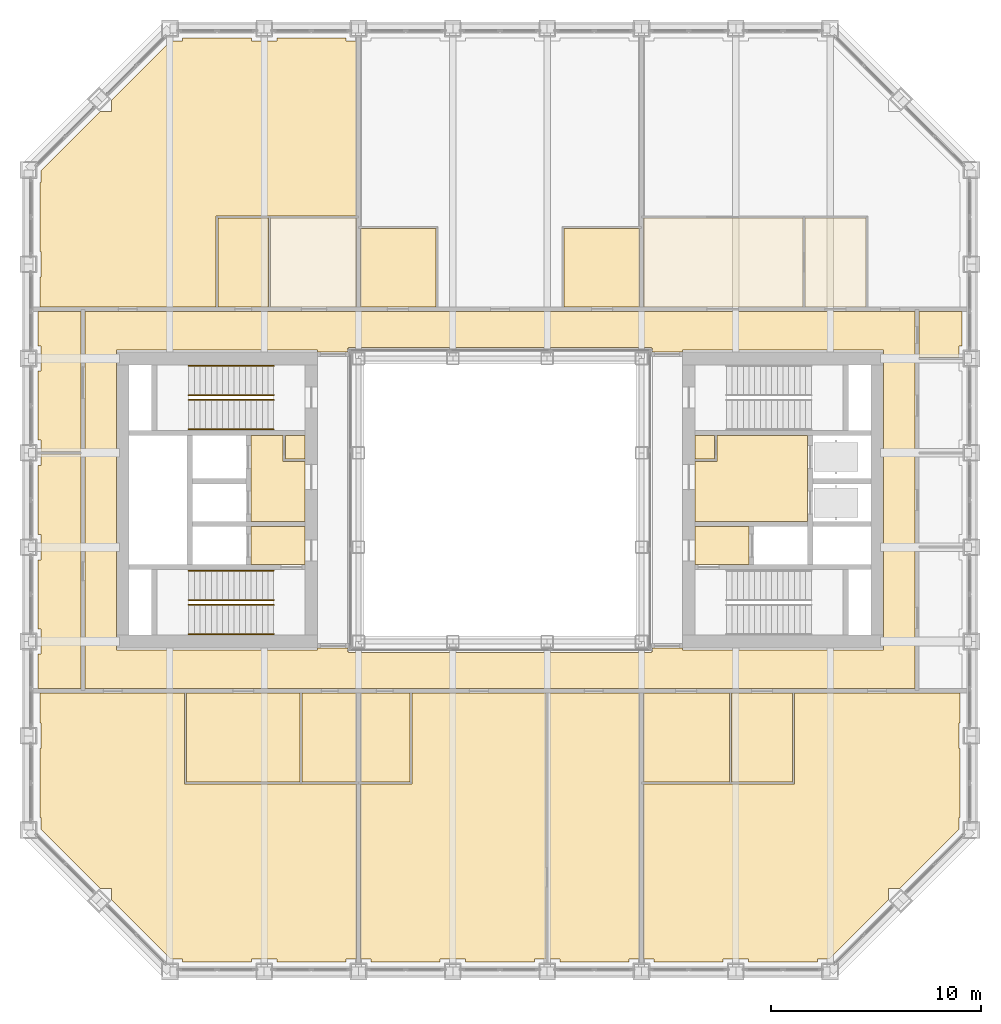
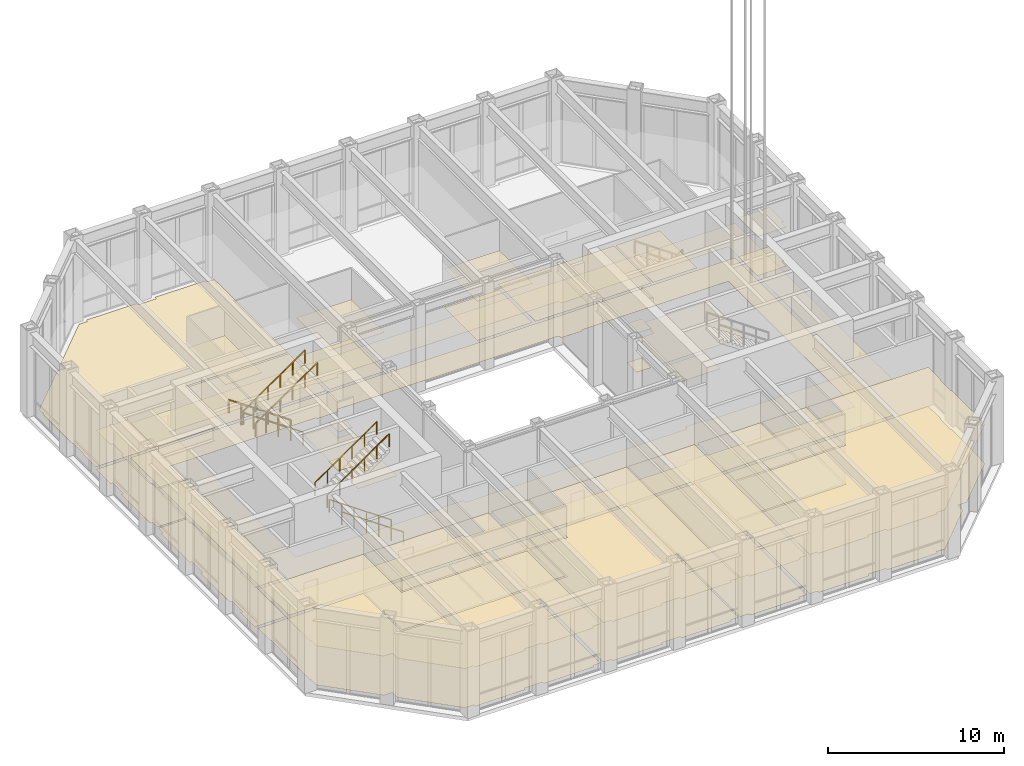
# One storey, part 20 of 22: 8 railings, 5 coverings.
"""IFC4 building model written with IfcOpenShell, lengths in metres."""

from ifc_helpers import new_model, si_unit, direction, frame, origin, origin_2d, place, context, subcontext, project, spatial, line, indexed_curve, circle, outline, extrude, material, layer, layer_set, type_object, element, save


model = new_model("IFC4")

# Units and contexts
model_context = context("Model", 3, precision=1e-05, world=origin(), true_north=direction((0.0, 1.0)))
body_context = subcontext(model_context, "Body", "Model", "MODEL_VIEW")
ifc_project = project(units=[si_unit("LENGTHUNIT", "METRE"), si_unit("AREAUNIT", "SQUARE_METRE"), si_unit("VOLUMEUNIT", "CUBIC_METRE"), si_unit("PLANEANGLEUNIT", "RADIAN"), si_unit("MASSUNIT", "GRAM", prefix="KILO")], contexts=[model_context])

# Site, building, storey
site_placement = place(None, origin())
site = spatial("IfcSite", under=ifc_project, at=site_placement, CompositionType="ELEMENT")
building_placement = place(site_placement, origin())
building = spatial("IfcBuilding", under=site, at=building_placement, Name="Msasa Ring Tower", CompositionType="ELEMENT")
storey_placement = place(building_placement, frame((0.0, 0.0, 112.39990234375)))
storey = spatial("IfcBuildingStorey", under=building, at=storey_placement, Name="L29", CompositionType="ELEMENT", Elevation=112.39990234375)

# Coverings
ifc_material_1 = material(Name="Gypsum plasterboard on a steel suspension grid", Category="steel")
ifc_layer_1 = layer(ifc_material_1, 0.014892578125)
ifc_layer_set_1 = layer_set([ifc_layer_1], Name="C1 SUSPENDED PLASTERBOARD CEILING 15")
covering_type_1 = type_object("IfcCoveringType", Name="C1 SUSPENDED PLASTERBOARD CEILING 15", PredefinedType="CEILING", material=ifc_layer_set_1)
covering_1_placement = place(storey_placement, frame((0.0, 0.0, 2.400146484375)))
element("IfcCovering", 1, at=covering_1_placement, inside=storey, type_object=covering_type_1, Name="Suspended Plasterboard Ceiling 15 circulation L29", PredefinedType="CEILING", context=body_context, shape_type="SweptSolid", body=[
    extrude(outline(indexed_curve([(-19.799560546875, -8.99951171875), (-19.799560546875, 8.99951171875), (19.799560546875, 8.99951171875), (19.799560546875, -8.99951171875)], segments=[line(1, 2, 3, 4, 1)], self_intersect=False), holes=[indexed_curve([(8.699462890625, -7.150390625), (18.300537109375, -7.150390625), (18.300537109375, 7.150390625), (8.699462890625, 7.150390625), (8.699462890625, 7.050537109375), (7.280029296875, 7.050537109375), (7.280517578125, 7.23046875), (7.22998046875, 7.23046875), (7.22998046875, 7.280029296875), (-7.22998046875, 7.280029296875), (-7.22998046875, 7.23046875), (-7.280517578125, 7.23046875), (-7.280029296875, 7.050537109375), (-8.699462890625, 7.050537109375), (-8.699462890625, 7.150390625), (-18.300537109375, 7.150390625), (-18.300537109375, -7.150390625), (-8.699462890625, -7.150390625), (-8.699462890625, -7.050537109375), (-7.280029296875, -7.050537109375), (-7.280517578125, -7.23046875), (-7.22998046875, -7.23046875), (-7.22998046875, -7.280029296875), (7.22998046875, -7.280029296875), (7.22998046875, -7.23046875), (7.280517578125, -7.23046875), (7.280029296875, -7.050537109375), (8.699462890625, -7.050537109375)], segments=[line(1, 2, 3, 4, 5, 6, 7, 8, 9, 10, 11, 12, 13, 14, 15, 16, 17, 18, 19, 20, 21, 22, 23, 24, 25, 26, 27, 28, 1)], self_intersect=False)]), origin(), (0.0, 0.0, 1.0), 0.014892578125),
    extrude(outline(indexed_curve([(-9.300537109375, -3.074462890625), (-11.87451171875, -3.074462890625), (-11.87451171875, -1.275390625), (-9.300537109375, -1.275390625)], segments=[line(1, 2, 3, 4, 1)], self_intersect=False)), origin(), (0.0, 0.0, 1.0), 0.014892578125),
    extrude(outline(indexed_curve([(-9.300537109375, 1.844482421875), (-9.300537109375, -1.0244140625), (-11.87451171875, -1.0244140625), (-11.87451171875, 3.074462890625), (-10.35546875, 3.074462890625), (-10.35546875, 1.844482421875)], segments=[line(1, 2, 3, 4, 5, 6, 1)], self_intersect=False)), origin(), (0.0, 0.0, 1.0), 0.014892578125),
    extrude(outline(indexed_curve([(11.87451171875, -3.074462890625), (9.300537109375, -3.074462890625), (9.300537109375, -1.275390625), (11.87451171875, -1.275390625)], segments=[line(1, 2, 3, 4, 1)], self_intersect=False)), origin(), (0.0, 0.0, 1.0), 0.014892578125),
    extrude(outline(indexed_curve([(10.35546875, 3.074462890625), (14.674560546875, 3.074462890625), (14.674560546875, -1.0244140625), (9.300537109375, -1.0244140625), (9.300537109375, 1.844482421875), (10.35546875, 1.844482421875)], segments=[line(1, 2, 3, 4, 5, 6, 1)], self_intersect=False)), origin(), (0.0, 0.0, 1.0), 0.014892578125),
])
covering_2_placement = place(storey_placement, frame((0.0, 0.0, 2.7001953125)))
element("IfcCovering", 2, at=covering_2_placement, inside=storey, type_object=covering_type_1, Name="Suspended Plasterboard Ceiling 15 L29", PredefinedType="CEILING", context=body_context, shape_type="SweptSolid", body=[
    extrude(outline(indexed_curve([(-10.244384765625, 1.95556640625), (-10.244384765625, 3.074462890625), (-9.300537109375, 3.074462890625), (-9.300537109375, 1.95556640625)], segments=[line(1, 2, 3, 4, 1)], self_intersect=False)), origin(), (0.0, 0.0, 1.0), 0.014892578125),
    extrude(outline(indexed_curve([(-9.449462890625, -13.449462890625), (-9.449462890625, -9.200439453125), (-6.8505859375, -9.200439453125), (-6.8505859375, -13.449462890625)], segments=[line(1, 2, 3, 4, 1)], self_intersect=False)), origin(), (0.0, 0.0, 1.0), 0.014892578125),
    extrude(outline(indexed_curve([(-6.6494140625, -13.449462890625), (-6.6494140625, -9.200439453125), (-4.300537109375, -9.200439453125), (-4.300537109375, -13.449462890625)], segments=[line(1, 2, 3, 4, 1)], self_intersect=False)), origin(), (0.0, 0.0, 1.0), 0.014892578125),
    extrude(outline(indexed_curve([(2.8505859375, -22.049560546875), (2.8505859375, -21.8994140625), (2.300537109375, -21.8994140625), (2.300537109375, -9.200439453125), (6.6494140625, -9.200439453125), (6.6494140625, -21.8994140625), (6.1494140625, -21.8994140625), (6.1494140625, -22.049560546875)], segments=[line(1, 2, 3, 4, 5, 6, 7, 8, 1)], self_intersect=False)), origin(), (0.0, 0.0, 1.0), 0.014892578125),
    extrude(outline(indexed_curve([(9.300537109375, 1.95556640625), (9.300537109375, 3.074462890625), (10.244384765625, 3.074462890625), (10.244384765625, 1.95556640625)], segments=[line(1, 2, 3, 4, 1)], self_intersect=False)), origin(), (0.0, 0.0, 1.0), 0.014892578125),
])
ifc_material_2 = material(Name="Mineral fibre ceiling tiles on an exposed steel grid", Category="steel")
ifc_layer_2 = layer(ifc_material_2, 0.02001953125)
ifc_layer_set_2 = layer_set([ifc_layer_2], Name="C3 ACOUSTIC MINERAL FIBRE TILE CEILING 20")
covering_type_2 = type_object("IfcCoveringType", Name="C3 ACOUSTIC MINERAL FIBRE TILE CEILING 20", PredefinedType="CEILING", material=ifc_layer_set_2)
covering_3_placement = place(storey_placement, frame((0.0, 0.0, 2.7001953125)))
element("IfcCovering", 3, at=covering_3_placement, inside=storey, type_object=covering_type_2, Name="Acoustic Mineral Fibre Tile Ceiling 20 L29", PredefinedType="CEILING", context=body_context, shape_type="SweptSolid", body=[
    extrude(outline(indexed_curve([(-20.00048828125, -8.99951171875), (-22.049560546875, -8.99951171875), (-22.049560546875, -7.3505859375), (-21.8994140625, -7.3505859375), (-21.8994140625, -6.1494140625), (-22.049560546875, -6.1494140625), (-22.049560546875, -2.8505859375), (-21.8994140625, -2.8505859375), (-21.8994140625, -1.6494140625), (-22.049560546875, -1.6494140625), (-22.049560546875, 1.6494140625), (-21.8994140625, 1.6494140625), (-21.8994140625, 2.194580078125), (-20.00048828125, 2.194580078125)], segments=[line(1, 2, 3, 4, 5, 6, 7, 8, 9, 10, 11, 12, 13, 14, 1)], self_intersect=False)), origin(), (0.0, 0.0, 1.0), 0.02001953125),
    extrude(outline(indexed_curve([(-20.00048828125, 8.99951171875), (-20.00048828125, 2.305419921875), (-21.8994140625, 2.305419921875), (-21.8994140625, 2.8505859375), (-22.049560546875, 2.8505859375), (-22.049560546875, 6.1494140625), (-21.8994140625, 6.1494140625), (-21.8994140625, 7.3505859375), (-22.049560546875, 7.3505859375), (-22.049560546875, 8.99951171875)], segments=[line(1, 2, 3, 4, 5, 6, 7, 8, 9, 10, 1)], self_intersect=False)), origin(), (0.0, 0.0, 1.0), 0.02001953125),
    extrude(outline(indexed_curve([(-10.6494140625, -22.049560546875), (-10.6494140625, -21.8994140625), (-11.8505859375, -21.8994140625), (-11.8505859375, -22.049560546875), (-15.1494140625, -22.049560546875), (-15.1494140625, -21.8994140625), (-15.71337890625, -21.8994140625), (-18.5244140625, -19.08837890625), (-18.5244140625, -18.5244140625), (-19.08837890625, -18.5244140625), (-21.8994140625, -15.71337890625), (-21.8994140625, -15.1494140625), (-21.949462890625, -15.1494140625), (-21.949462890625, -11.8505859375), (-21.8994140625, -11.8505859375), (-21.8994140625, -10.6494140625), (-21.949462890625, -10.6494140625), (-21.949462890625, -9.200439453125), (-15.050537109375, -9.200439453125), (-15.050537109375, -13.550537109375), (-6.8505859375, -13.550537109375), (-6.8505859375, -21.8994140625), (-7.3505859375, -21.8994140625), (-7.3505859375, -22.049560546875)], segments=[line(1, 2, 3, 4, 5, 6, 7, 8, 9, 10, 11, 12, 13, 14, 15, 16, 17, 18, 19, 20, 21, 22, 23, 24, 1)], self_intersect=False)), origin(), (0.0, 0.0, 1.0), 0.02001953125),
    extrude(outline(indexed_curve([(-14.949462890625, -9.200439453125), (-9.550537109375, -9.200439453125), (-9.550537109375, -13.449462890625), (-14.949462890625, -13.449462890625)], segments=[line(1, 2, 3, 4, 1)], self_intersect=False)), origin(), (0.0, 0.0, 1.0), 0.02001953125),
    extrude(outline(indexed_curve([(-13.449462890625, 13.449462890625), (-11.050537109375, 13.449462890625), (-11.050537109375, 9.200439453125), (-13.449462890625, 9.200439453125)], segments=[line(1, 2, 3, 4, 1)], self_intersect=False)), origin(), (0.0, 0.0, 1.0), 0.02001953125),
    extrude(outline(indexed_curve([(-4.199462890625, -13.550537109375), (-4.199462890625, -9.200439453125), (2.199462890625, -9.200439453125), (2.199462890625, -21.8994140625), (1.6494140625, -21.8994140625), (1.6494140625, -22.049560546875), (-1.6494140625, -22.049560546875), (-1.6494140625, -21.8994140625), (-2.8505859375, -21.8994140625), (-2.8505859375, -22.049560546875), (-6.1494140625, -22.049560546875), (-6.1494140625, -21.8994140625), (-6.6494140625, -21.8994140625), (-6.6494140625, -13.550537109375)], segments=[line(1, 2, 3, 4, 5, 6, 7, 8, 9, 10, 11, 12, 13, 14, 1)], self_intersect=False)), origin(), (0.0, 0.0, 1.0), 0.02001953125),
    extrude(outline(indexed_curve([(-3.050537109375, 12.949462890625), (-3.050537109375, 9.200439453125), (-6.6494140625, 9.200439453125), (-6.6494140625, 12.949462890625)], segments=[line(1, 2, 3, 4, 1)], self_intersect=False)), origin(), (0.0, 0.0, 1.0), 0.02001953125),
    extrude(outline(indexed_curve([(3.050537109375, 12.949462890625), (6.6494140625, 12.949462890625), (6.6494140625, 9.200439453125), (3.050537109375, 9.200439453125)], segments=[line(1, 2, 3, 4, 1)], self_intersect=False)), origin(), (0.0, 0.0, 1.0), 0.02001953125),
    extrude(outline(indexed_curve([(14.050537109375, -9.200439453125), (21.949462890625, -9.200439453125), (21.949462890625, -10.6494140625), (21.8994140625, -10.6494140625), (21.8994140625, -11.8505859375), (21.949462890625, -11.8505859375), (21.949462890625, -15.1494140625), (21.8994140625, -15.1494140625), (21.8994140625, -15.71337890625), (19.08837890625, -18.5244140625), (18.5244140625, -18.5244140625), (18.5244140625, -19.08837890625), (15.71337890625, -21.8994140625), (15.1494140625, -21.8994140625), (15.1494140625, -22.049560546875), (11.8505859375, -22.049560546875), (11.8505859375, -21.8994140625), (10.6494140625, -21.8994140625), (10.6494140625, -22.049560546875), (7.3505859375, -22.049560546875), (7.3505859375, -21.8994140625), (6.8505859375, -21.8994140625), (6.8505859375, -13.550537109375), (14.050537109375, -13.550537109375)], segments=[line(1, 2, 3, 4, 5, 6, 7, 8, 9, 10, 11, 12, 13, 14, 15, 16, 17, 18, 19, 20, 21, 22, 23, 24, 1)], self_intersect=False)), origin(), (0.0, 0.0, 1.0), 0.02001953125),
    extrude(outline(indexed_curve([(10.949462890625, -9.200439453125), (10.949462890625, -13.449462890625), (6.8505859375, -13.449462890625), (6.8505859375, -9.200439453125)], segments=[line(1, 2, 3, 4, 1)], self_intersect=False)), origin(), (0.0, 0.0, 1.0), 0.02001953125),
    extrude(outline(indexed_curve([(11.050537109375, -13.449462890625), (11.050537109375, -9.200439453125), (13.949462890625, -9.200439453125), (13.949462890625, -13.449462890625)], segments=[line(1, 2, 3, 4, 1)], self_intersect=False)), origin(), (0.0, 0.0, 1.0), 0.02001953125),
    extrude(outline(indexed_curve([(20.00048828125, 6.805419921875), (20.00048828125, 8.99951171875), (22.049560546875, 8.99951171875), (22.049560546875, 7.3505859375), (21.8994140625, 7.3505859375), (21.8994140625, 6.805419921875)], segments=[line(1, 2, 3, 4, 5, 6, 1)], self_intersect=False)), origin(), (0.0, 0.0, 1.0), 0.02001953125),
])
ifc_material_3 = material(Name="Wool-blend carpet on felt underlay", Category="textile")
ifc_layer_3 = layer(ifc_material_3, 0.011962890625)
ifc_layer_set_3 = layer_set([ifc_layer_3], Name="F2 CARPET ON UNDERLAY 12")
covering_type_3 = type_object("IfcCoveringType", Name="F2 CARPET ON UNDERLAY 12", PredefinedType="FLOORING", material=ifc_layer_set_3)
covering_4_placement = place(storey_placement, origin())
element("IfcCovering", 4, at=covering_4_placement, inside=storey, type_object=covering_type_3, Name="Carpet On Underlay 12 L29", PredefinedType="FLOORING", context=body_context, shape_type="SweptSolid", body=[
    extrude(outline(indexed_curve([(-13.550537109375, 9.200439453125), (-21.949462890625, 9.200439453125), (-21.949462890625, 10.6494140625), (-21.8994140625, 10.6494140625), (-21.8994140625, 11.8505859375), (-21.949462890625, 11.8505859375), (-21.949462890625, 15.1494140625), (-21.8994140625, 15.1494140625), (-21.8994140625, 15.71337890625), (-19.08837890625, 18.5244140625), (-18.5244140625, 18.5244140625), (-18.5244140625, 19.08837890625), (-15.71337890625, 21.8994140625), (-15.1494140625, 21.8994140625), (-15.1494140625, 22.049560546875), (-11.8505859375, 22.049560546875), (-11.8505859375, 21.8994140625), (-10.6494140625, 21.8994140625), (-10.6494140625, 22.049560546875), (-7.3505859375, 22.049560546875), (-7.3505859375, 21.8994140625), (-6.8505859375, 21.8994140625), (-6.8505859375, 13.550537109375), (-13.550537109375, 13.550537109375)], segments=[line(1, 2, 3, 4, 5, 6, 7, 8, 9, 10, 11, 12, 13, 14, 15, 16, 17, 18, 19, 20, 21, 22, 23, 24, 1)], self_intersect=False)), origin(), (0.0, 0.0, 1.0), 0.01220703125),
    extrude(outline(indexed_curve([(-19.799560546875, -8.99951171875), (-19.799560546875, 8.99951171875), (19.799560546875, 8.99951171875), (19.799560546875, -8.99951171875)], segments=[line(1, 2, 3, 4, 1)], self_intersect=False), holes=[indexed_curve([(8.699462890625, -7.150390625), (18.300537109375, -7.150390625), (18.300537109375, 7.150390625), (8.699462890625, 7.150390625), (8.699462890625, 7.050537109375), (7.280029296875, 7.050537109375), (7.280517578125, 7.23046875), (7.22998046875, 7.23046875), (7.22998046875, 7.280029296875), (-7.22998046875, 7.280029296875), (-7.22998046875, 7.23046875), (-7.280517578125, 7.23046875), (-7.280029296875, 7.050537109375), (-8.699462890625, 7.050537109375), (-8.699462890625, 7.150390625), (-18.300537109375, 7.150390625), (-18.300537109375, -7.150390625), (-8.699462890625, -7.150390625), (-8.699462890625, -7.050537109375), (-7.280029296875, -7.050537109375), (-7.280517578125, -7.23046875), (-7.22998046875, -7.23046875), (-7.22998046875, -7.280029296875), (7.22998046875, -7.280029296875), (7.22998046875, -7.23046875), (7.280517578125, -7.23046875), (7.280029296875, -7.050537109375), (8.699462890625, -7.050537109375)], segments=[line(1, 2, 3, 4, 5, 6, 7, 8, 9, 10, 11, 12, 13, 14, 15, 16, 17, 18, 19, 20, 21, 22, 23, 24, 25, 26, 27, 28, 1)], self_intersect=False)]), origin(), (0.0, 0.0, 1.0), 0.01220703125),
    extrude(outline(indexed_curve([(-10.244384765625, 3.074462890625), (-9.300537109375, 3.074462890625), (-9.300537109375, 1.95556640625), (-10.244384765625, 1.95556640625)], segments=[line(1, 2, 3, 4, 1)], self_intersect=False)), origin(), (0.0, 0.0, 1.0), 0.01220703125),
    extrude(outline(indexed_curve([(-9.449462890625, -9.200439453125), (-6.8505859375, -9.200439453125), (-6.8505859375, -13.449462890625), (-9.449462890625, -13.449462890625)], segments=[line(1, 2, 3, 4, 1)], self_intersect=False)), origin(), (0.0, 0.0, 1.0), 0.01220703125),
    extrude(outline(indexed_curve([(-4.300537109375, -9.200439453125), (-4.300537109375, -13.449462890625), (-6.6494140625, -13.449462890625), (-6.6494140625, -9.200439453125)], segments=[line(1, 2, 3, 4, 1)], self_intersect=False)), origin(), (0.0, 0.0, 1.0), 0.01220703125),
    extrude(outline(indexed_curve([(2.300537109375, -9.200439453125), (6.6494140625, -9.200439453125), (6.6494140625, -21.8994140625), (6.1494140625, -21.8994140625), (6.1494140625, -22.049560546875), (2.8505859375, -22.049560546875), (2.8505859375, -21.8994140625), (2.300537109375, -21.8994140625)], segments=[line(1, 2, 3, 4, 5, 6, 7, 8, 1)], self_intersect=False)), origin(), (0.0, 0.0, 1.0), 0.01220703125),
    extrude(outline(indexed_curve([(9.300537109375, 3.074462890625), (10.244384765625, 3.074462890625), (10.244384765625, 1.95556640625), (9.300537109375, 1.95556640625)], segments=[line(1, 2, 3, 4, 1)], self_intersect=False)), origin(), (0.0, 0.0, 1.0), 0.01220703125),
])
ifc_material_4 = material(Name="Welded vinyl safety sheet flooring", Category="vinyl")
ifc_layer_4 = layer(ifc_material_4, 0.0029296875)
ifc_layer_set_4 = layer_set([ifc_layer_4], Name="F5 RESILIENT SHEET FLOORING 3")
covering_type_4 = type_object("IfcCoveringType", Name="F5 RESILIENT SHEET FLOORING 3", PredefinedType="FLOORING", material=ifc_layer_set_4)
covering_5_placement = place(storey_placement, origin())
element("IfcCovering", 5, at=covering_5_placement, inside=storey, type_object=covering_type_4, Name="Resilient Sheet Flooring 3 L29", PredefinedType="FLOORING", context=body_context, shape_type="SweptSolid", body=[
    extrude(outline(indexed_curve([(-22.049560546875, -8.99951171875), (-22.049560546875, -7.3505859375), (-21.8994140625, -7.3505859375), (-21.8994140625, -6.1494140625), (-22.049560546875, -6.1494140625), (-22.049560546875, -2.8505859375), (-21.8994140625, -2.8505859375), (-21.8994140625, -1.6494140625), (-22.049560546875, -1.6494140625), (-22.049560546875, 1.6494140625), (-21.8994140625, 1.6494140625), (-21.8994140625, 2.194580078125), (-20.00048828125, 2.194580078125), (-20.00048828125, -8.99951171875)], segments=[line(1, 2, 3, 4, 5, 6, 7, 8, 9, 10, 11, 12, 13, 14, 1)], self_intersect=False)), origin(), (0.0, 0.0, 1.0), 0.003173828125),
    extrude(outline(indexed_curve([(-21.8994140625, 2.305419921875), (-21.8994140625, 2.8505859375), (-22.049560546875, 2.8505859375), (-22.049560546875, 6.1494140625), (-21.8994140625, 6.1494140625), (-21.8994140625, 7.3505859375), (-22.049560546875, 7.3505859375), (-22.049560546875, 8.99951171875), (-20.00048828125, 8.99951171875), (-20.00048828125, 2.305419921875)], segments=[line(1, 2, 3, 4, 5, 6, 7, 8, 9, 10, 1)], self_intersect=False)), origin(), (0.0, 0.0, 1.0), 0.003173828125),
    extrude(outline(indexed_curve([(-10.6494140625, -22.049560546875), (-10.6494140625, -21.8994140625), (-11.8505859375, -21.8994140625), (-11.8505859375, -22.049560546875), (-15.1494140625, -22.049560546875), (-15.1494140625, -21.8994140625), (-15.71337890625, -21.8994140625), (-18.5244140625, -19.08837890625), (-18.5244140625, -18.5244140625), (-19.08837890625, -18.5244140625), (-21.8994140625, -15.71337890625), (-21.8994140625, -15.1494140625), (-21.949462890625, -15.1494140625), (-21.949462890625, -11.8505859375), (-21.8994140625, -11.8505859375), (-21.8994140625, -10.6494140625), (-21.949462890625, -10.6494140625), (-21.949462890625, -9.200439453125), (-15.050537109375, -9.200439453125), (-15.050537109375, -13.550537109375), (-6.8505859375, -13.550537109375), (-6.8505859375, -21.8994140625), (-7.3505859375, -21.8994140625), (-7.3505859375, -22.049560546875)], segments=[line(1, 2, 3, 4, 5, 6, 7, 8, 9, 10, 11, 12, 13, 14, 15, 16, 17, 18, 19, 20, 21, 22, 23, 24, 1)], self_intersect=False)), origin(), (0.0, 0.0, 1.0), 0.003173828125),
    extrude(outline(indexed_curve([(-9.550537109375, -9.200439453125), (-9.550537109375, -13.449462890625), (-14.949462890625, -13.449462890625), (-14.949462890625, -9.200439453125)], segments=[line(1, 2, 3, 4, 1)], self_intersect=False)), origin(), (0.0, 0.0, 1.0), 0.003173828125),
    extrude(outline(indexed_curve([(-11.050537109375, 13.449462890625), (-11.050537109375, 9.200439453125), (-13.449462890625, 9.200439453125), (-13.449462890625, 13.449462890625)], segments=[line(1, 2, 3, 4, 1)], self_intersect=False)), origin(), (0.0, 0.0, 1.0), 0.003173828125),
    extrude(outline(indexed_curve([(-6.8505859375, 13.449462890625), (-6.8505859375, 9.200439453125), (-10.949462890625, 9.200439453125), (-10.949462890625, 13.449462890625)], segments=[line(1, 2, 3, 4, 1)], self_intersect=False)), origin(), (0.0, 0.0, 1.0), 0.003173828125),
    extrude(outline(indexed_curve([(2.199462890625, -21.8994140625), (1.6494140625, -21.8994140625), (1.6494140625, -22.049560546875), (-1.6494140625, -22.049560546875), (-1.6494140625, -21.8994140625), (-2.8505859375, -21.8994140625), (-2.8505859375, -22.049560546875), (-6.1494140625, -22.049560546875), (-6.1494140625, -21.8994140625), (-6.6494140625, -21.8994140625), (-6.6494140625, -13.550537109375), (-4.199462890625, -13.550537109375), (-4.199462890625, -9.200439453125), (2.199462890625, -9.200439453125)], segments=[line(1, 2, 3, 4, 5, 6, 7, 8, 9, 10, 11, 12, 13, 14, 1)], self_intersect=False)), origin(), (0.0, 0.0, 1.0), 0.003173828125),
    extrude(outline(indexed_curve([(-3.050537109375, 12.949462890625), (-3.050537109375, 9.200439453125), (-6.6494140625, 9.200439453125), (-6.6494140625, 12.949462890625)], segments=[line(1, 2, 3, 4, 1)], self_intersect=False)), origin(), (0.0, 0.0, 1.0), 0.003173828125),
    extrude(outline(indexed_curve([(6.6494140625, 12.949462890625), (6.6494140625, 9.200439453125), (3.050537109375, 9.200439453125), (3.050537109375, 12.949462890625)], segments=[line(1, 2, 3, 4, 1)], self_intersect=False)), origin(), (0.0, 0.0, 1.0), 0.003173828125),
    extrude(outline(indexed_curve([(14.050537109375, -9.200439453125), (21.949462890625, -9.200439453125), (21.949462890625, -10.6494140625), (21.8994140625, -10.6494140625), (21.8994140625, -11.8505859375), (21.949462890625, -11.8505859375), (21.949462890625, -15.1494140625), (21.8994140625, -15.1494140625), (21.8994140625, -15.71337890625), (19.08837890625, -18.5244140625), (18.5244140625, -18.5244140625), (18.5244140625, -19.08837890625), (15.71337890625, -21.8994140625), (15.1494140625, -21.8994140625), (15.1494140625, -22.049560546875), (11.8505859375, -22.049560546875), (11.8505859375, -21.8994140625), (10.6494140625, -21.8994140625), (10.6494140625, -22.049560546875), (7.3505859375, -22.049560546875), (7.3505859375, -21.8994140625), (6.8505859375, -21.8994140625), (6.8505859375, -13.550537109375), (14.050537109375, -13.550537109375)], segments=[line(1, 2, 3, 4, 5, 6, 7, 8, 9, 10, 11, 12, 13, 14, 15, 16, 17, 18, 19, 20, 21, 22, 23, 24, 1)], self_intersect=False)), origin(), (0.0, 0.0, 1.0), 0.003173828125),
    extrude(outline(indexed_curve([(10.949462890625, -9.200439453125), (10.949462890625, -13.449462890625), (6.8505859375, -13.449462890625), (6.8505859375, -9.200439453125)], segments=[line(1, 2, 3, 4, 1)], self_intersect=False)), origin(), (0.0, 0.0, 1.0), 0.003173828125),
    extrude(outline(indexed_curve([(14.449462890625, 13.449462890625), (14.449462890625, 9.200439453125), (6.8505859375, 9.200439453125), (6.8505859375, 13.449462890625)], segments=[line(1, 2, 3, 4, 1)], self_intersect=False)), origin(), (0.0, 0.0, 1.0), 0.003173828125),
    extrude(outline(indexed_curve([(13.949462890625, -9.200439453125), (13.949462890625, -13.449462890625), (11.050537109375, -13.449462890625), (11.050537109375, -9.200439453125)], segments=[line(1, 2, 3, 4, 1)], self_intersect=False)), origin(), (0.0, 0.0, 1.0), 0.003173828125),
    extrude(outline(indexed_curve([(17.449462890625, 13.449462890625), (17.449462890625, 9.200439453125), (14.550537109375, 9.200439453125), (14.550537109375, 13.449462890625)], segments=[line(1, 2, 3, 4, 1)], self_intersect=False)), origin(), (0.0, 0.0, 1.0), 0.003173828125),
    extrude(outline(indexed_curve([(20.00048828125, 8.99951171875), (22.049560546875, 8.99951171875), (22.049560546875, 7.3505859375), (21.8994140625, 7.3505859375), (21.8994140625, 6.805419921875), (20.00048828125, 6.805419921875)], segments=[line(1, 2, 3, 4, 5, 6, 1)], self_intersect=False)), origin(), (0.0, 0.0, 1.0), 0.003173828125),
])

# Railings
ifc_material_5 = material(Name="Stainless steel", Category="steel")
railing_type = type_object("IfcRailingType", Name="HR1 HANDRAIL 900", PredefinedType="HANDRAIL", material=ifc_material_5)
for number, where, name in (
    (6, (-10.800048828125, -6.39990234375, 0.1875), "Handrail stair SWA L29 1"),
    (7, (-10.800048828125, -5.0, 0.1875), "Handrail stair SWA L29 2"),
):
    element("IfcRailing", number, at=place(storey_placement, frame(where)), inside=storey, type_object=railing_type, Name=name, PredefinedType="HANDRAIL", context=body_context, shape_type="SweptSolid", body=[
        extrude(circle(Radius=0.02392578125, at=origin_2d()), frame((0.0, 0.0, 0.8759765625), z_axis=(-0.821373187493, 0.0, 0.570391170047), x_axis=(0.0, -1.0, 0.0)), (0.0, 0.0, 1.0), 4.930908203125),
        extrude(circle(Radius=0.02099609375, at=origin_2d()), origin(), (0.0, 0.0, 1.0), 0.851806640625),
        extrude(circle(Radius=0.02099609375, at=origin_2d()), frame((-0.81005859375, 0.0, 0.5625)), (0.0, 0.0, 1.0), 0.851806640625),
        extrude(circle(Radius=0.02099609375, at=origin_2d()), frame((-1.6201171875, 0.0, 1.125)), (0.0, 0.0, 1.0), 0.851806640625),
        extrude(circle(Radius=0.02099609375, at=origin_2d()), frame((-2.429931640625, 0.0, 1.6875)), (0.0, 0.0, 1.0), 0.851806640625),
        extrude(circle(Radius=0.02099609375, at=origin_2d()), frame((-3.239990234375, 0.0, 2.25)), (0.0, 0.0, 1.0), 0.851806640625),
        extrude(circle(Radius=0.02099609375, at=origin_2d()), frame((-4.050048828125, 0.0, 2.8125)), (0.0, 0.0, 1.0), 0.851806640625),
    ])
for number, where, name in (
    (8, (-14.85009765625, -4.77490234375, 3.1875), "Handrail stair SWA L29 3"),
    (9, (-14.85009765625, -3.375, 3.1875), "Handrail stair SWA L29 4"),
):
    element("IfcRailing", number, at=place(storey_placement, frame(where)), inside=storey, type_object=railing_type, Name=name, PredefinedType="HANDRAIL", context=body_context, shape_type="SweptSolid", body=[
        extrude(circle(Radius=0.02392578125, at=origin_2d()), frame((0.0, 0.0, 0.8759765625), z_axis=(0.821373187493, 0.0, 0.570391170047), x_axis=(0.0, 1.0, 0.0)), (0.0, 0.0, 1.0), 4.930908203125),
        extrude(circle(Radius=0.02099609375, at=origin_2d()), origin(), (0.0, 0.0, 1.0), 0.851806640625),
        extrude(circle(Radius=0.02099609375, at=origin_2d()), frame((0.81005859375, 0.0, 0.5625)), (0.0, 0.0, 1.0), 0.851806640625),
        extrude(circle(Radius=0.02099609375, at=origin_2d()), frame((1.6201171875, 0.0, 1.125)), (0.0, 0.0, 1.0), 0.851806640625),
        extrude(circle(Radius=0.02099609375, at=origin_2d()), frame((2.429931640625, 0.0, 1.6875)), (0.0, 0.0, 1.0), 0.851806640625),
        extrude(circle(Radius=0.02099609375, at=origin_2d()), frame((3.239990234375, 0.0, 2.25)), (0.0, 0.0, 1.0), 0.851806640625),
        extrude(circle(Radius=0.02099609375, at=origin_2d()), frame((4.050048828125, 0.0, 2.8125)), (0.0, 0.0, 1.0), 0.851806640625),
    ])
for number, where, name in (
    (10, (-10.800048828125, 5.0, 0.1875), "Handrail stair SWB L29 1"),
    (11, (-10.800048828125, 6.39990234375, 0.1875), "Handrail stair SWB L29 2"),
):
    element("IfcRailing", number, at=place(storey_placement, frame(where)), inside=storey, type_object=railing_type, Name=name, PredefinedType="HANDRAIL", context=body_context, shape_type="SweptSolid", body=[
        extrude(circle(Radius=0.02392578125, at=origin_2d()), frame((0.0, 0.0, 0.8759765625), z_axis=(-0.821373187493, 0.0, 0.570391170047), x_axis=(0.0, -1.0, 0.0)), (0.0, 0.0, 1.0), 4.930908203125),
        extrude(circle(Radius=0.02099609375, at=origin_2d()), origin(), (0.0, 0.0, 1.0), 0.851806640625),
        extrude(circle(Radius=0.02099609375, at=origin_2d()), frame((-0.81005859375, 0.0, 0.5625)), (0.0, 0.0, 1.0), 0.851806640625),
        extrude(circle(Radius=0.02099609375, at=origin_2d()), frame((-1.6201171875, 0.0, 1.125)), (0.0, 0.0, 1.0), 0.851806640625),
        extrude(circle(Radius=0.02099609375, at=origin_2d()), frame((-2.429931640625, 0.0, 1.6875)), (0.0, 0.0, 1.0), 0.851806640625),
        extrude(circle(Radius=0.02099609375, at=origin_2d()), frame((-3.239990234375, 0.0, 2.25)), (0.0, 0.0, 1.0), 0.851806640625),
        extrude(circle(Radius=0.02099609375, at=origin_2d()), frame((-4.050048828125, 0.0, 2.8125)), (0.0, 0.0, 1.0), 0.851806640625),
    ])
for number, where, name in (
    (12, (-14.85009765625, 3.375, 3.1875), "Handrail stair SWB L29 3"),
    (13, (-14.85009765625, 4.77490234375, 3.1875), "Handrail stair SWB L29 4"),
):
    element("IfcRailing", number, at=place(storey_placement, frame(where)), inside=storey, type_object=railing_type, Name=name, PredefinedType="HANDRAIL", context=body_context, shape_type="SweptSolid", body=[
        extrude(circle(Radius=0.02392578125, at=origin_2d()), frame((0.0, 0.0, 0.8759765625), z_axis=(0.821373187493, 0.0, 0.570391170047), x_axis=(0.0, 1.0, 0.0)), (0.0, 0.0, 1.0), 4.930908203125),
        extrude(circle(Radius=0.02099609375, at=origin_2d()), origin(), (0.0, 0.0, 1.0), 0.851806640625),
        extrude(circle(Radius=0.02099609375, at=origin_2d()), frame((0.81005859375, 0.0, 0.5625)), (0.0, 0.0, 1.0), 0.851806640625),
        extrude(circle(Radius=0.02099609375, at=origin_2d()), frame((1.6201171875, 0.0, 1.125)), (0.0, 0.0, 1.0), 0.851806640625),
        extrude(circle(Radius=0.02099609375, at=origin_2d()), frame((2.429931640625, 0.0, 1.6875)), (0.0, 0.0, 1.0), 0.851806640625),
        extrude(circle(Radius=0.02099609375, at=origin_2d()), frame((3.239990234375, 0.0, 2.25)), (0.0, 0.0, 1.0), 0.851806640625),
        extrude(circle(Radius=0.02099609375, at=origin_2d()), frame((4.050048828125, 0.0, 2.8125)), (0.0, 0.0, 1.0), 0.851806640625),
    ])

save(model, "model.ifc")
